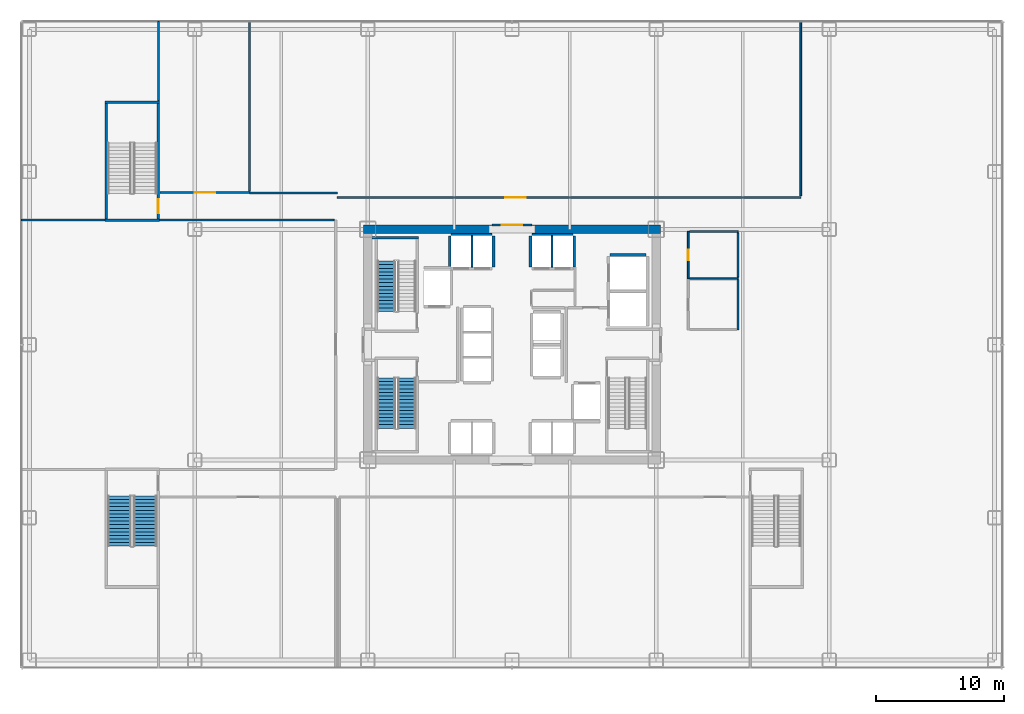
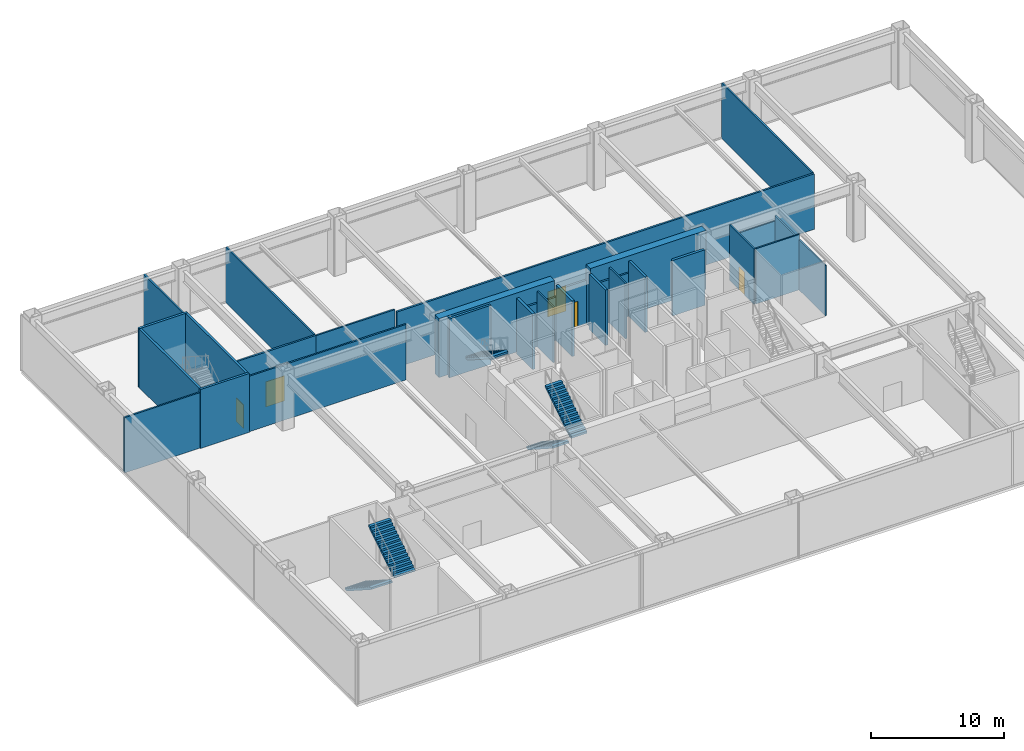
# One storey, part 19 of 24: 30 walls, 5 doors, 5 stair flights, 5 openings, 3 elements without a shape of their own.
"""IFC4 building model written with IfcOpenShell, lengths in metres."""

from ifc_helpers import new_model, si_unit, direction, frame, frame_2d, origin, place, context, subcontext, project, spatial, polyline, rectangle, outline, extrude, source, transform, mapped, material, layer, layer_set, type_object, element, fill, aggregate, save


model = new_model("IFC4")

# Units and contexts
model_context = context("Model", 3, precision=1e-05, world=origin(), true_north=direction((0.0, 1.0)))
body_context = subcontext(model_context, "Body", "Model", "MODEL_VIEW")
ifc_project = project(units=[si_unit("LENGTHUNIT", "METRE"), si_unit("AREAUNIT", "SQUARE_METRE"), si_unit("VOLUMEUNIT", "CUBIC_METRE"), si_unit("PLANEANGLEUNIT", "RADIAN"), si_unit("MASSUNIT", "GRAM", prefix="KILO")], contexts=[model_context])

# Site, building, storey
site_placement = place(None, origin())
site = spatial("IfcSite", under=ifc_project, at=site_placement, CompositionType="ELEMENT")
building_placement = place(site_placement, origin())
building = spatial("IfcBuilding", under=site, at=building_placement, Name="Nefas-Gora Pilgrimage Tower", CompositionType="ELEMENT")
storey_placement = place(building_placement, frame((0.0, 0.0, 11.39990234375)))
storey = spatial("IfcBuildingStorey", under=building, at=storey_placement, Name="L02", CompositionType="ELEMENT", Elevation=11.39990234375)

# Walls
ifc_material_1 = material(Name="Concrete C60/75", Category="concrete")
ifc_layer_1 = layer(ifc_material_1, 0.64990234375)
ifc_layer_set_1 = layer_set([ifc_layer_1], Name="Concrete C60/75")
wall_type_1 = type_object("IfcWallType", Name="SW-CORE-650", PredefinedType="SHEAR", material=ifc_layer_set_1)
shared_shape_1 = source(origin(), body_context, "Body", "SweptSolid", [
    extrude(rectangle(XDim=10.02490234375, YDim=0.64990234375, at=frame_2d((5.012451171875, 0.0))), origin(), (0.0, 0.0, 1.0), 5.400146484375),
])
for number, where, z_axis, x_axis, name in (
    (1, (-11.574951171875, 9.0, 0.0), (0.0, 0.0, 1.0), (1.0, 0.0, 0.0), "L02 Core Shear Wall N-West"),
    (2, (1.550048828125, 9.0, 0.0), (0.0, 0.0, 1.0), (1.0, 0.0, 0.0), "L02 Core Shear Wall N-East"),
):
    element("IfcWall", number, at=place(storey_placement, frame(where, z_axis=z_axis, x_axis=x_axis)), inside=storey, type_object=wall_type_1, Name=name, PredefinedType="SHEAR", context=body_context, shape_type="MappedRepresentation", body=[
        mapped(shared_shape_1, transform((0.0, 0.0, 0.0), x_axis=(1.0, 0.0, 0.0), y_axis=(0.0, 1.0, 0.0), z_axis=(0.0, 0.0, 1.0), scale=1.0)),
    ])
ifc_material_2 = material(Name="Concrete C45/55", Category="concrete")
ifc_layer_2 = layer(ifc_material_2, 0.199951171875)
ifc_layer_set_2 = layer_set([ifc_layer_2], Name="Concrete C45/55")
wall_type_2 = type_object("IfcWallType", Name="IW-STAIR-200", PredefinedType="SOLIDWALL", material=ifc_layer_set_2)
shared_shape_2 = source(origin(), body_context, "Body", "SweptSolid", [
    extrude(rectangle(XDim=3.6298828125, YDim=0.199951171875, at=frame_2d((1.81494140625, 0.0))), origin(), (0.0, 0.0, 1.0), 5.400146484375),
])
wall_1_placement = place(storey_placement, frame((-7.300048828125, 8.35009765625, 0.0), z_axis=(0.0, 0.0, 1.0), x_axis=(-1.0, 0.0, 0.0)))
element("IfcWall", 3, at=wall_1_placement, inside=storey, type_object=wall_type_2, Name="L02 Stairwell Shear Wall ST-01-far", PredefinedType="SOLIDWALL", context=body_context, shape_type="MappedRepresentation", body=[
    mapped(shared_shape_2, transform((0.0, 0.0, 0.0), x_axis=(1.0, 0.0, 0.0), y_axis=(0.0, 1.0, 0.0), z_axis=(0.0, 0.0, 1.0), scale=1.0)),
])
shared_shape_3 = source(origin(), body_context, "Body", "SweptSolid", [
    extrude(rectangle(XDim=4.239990234375, YDim=0.199951171875, at=frame_2d((2.1201171875, 0.0))), origin(), (0.0, 0.0, 1.0), 5.400146484375),
])
for number, where, z_axis, x_axis, name in (
    (4, (-27.5, 9.699951171875, 0.0), (0.0, 0.0, 1.0), (-1.0, 0.0, 0.0), "L02 Stairwell Shear Wall ST-04-near"),
    (5, (-27.5, 18.89990234375, 0.0), (0.0, 0.0, 1.0), (-1.0, 0.0, 0.0), "L02 Stairwell Shear Wall ST-04-far"),
):
    element("IfcWall", number, at=place(storey_placement, frame(where, z_axis=z_axis, x_axis=x_axis)), inside=storey, type_object=wall_type_2, Name=name, PredefinedType="SOLIDWALL", context=body_context, shape_type="MappedRepresentation", body=[
        mapped(shared_shape_3, transform((0.0, 0.0, 0.0), x_axis=(1.0, 0.0, 0.0), y_axis=(0.0, 1.0, 0.0), z_axis=(0.0, 0.0, 1.0), scale=1.0)),
    ])

# Wall, opening, door
shared_shape_4 = source(origin(), body_context, "Body", "SweptSolid", [
    extrude(rectangle(XDim=9.0, YDim=0.199951171875, at=frame_2d((4.5, 0.0))), origin(), (0.0, 0.0, 1.0), 5.400146484375),
])
wall_2_placement = place(storey_placement, frame((-27.60009765625, 9.800048828125, 0.0), z_axis=(0.0, 0.0, 1.0), x_axis=(0.0, 1.0, 0.0)))
wall_2 = element("IfcWall", 6, at=wall_2_placement, inside=storey, type_object=wall_type_2, Name="L02 Stairwell Shear Wall ST-04-left", PredefinedType="SOLIDWALL", context=body_context, shape_type="MappedRepresentation", body=[
    mapped(shared_shape_4, transform((0.0, 0.0, 0.0), x_axis=(1.0, 0.0, 0.0), y_axis=(0.0, 1.0, 0.0), z_axis=(0.0, 0.0, 1.0), scale=1.0)),
])
opening_1_placement = place(wall_2_placement, frame((0.449951171875, 0.0, 0.0)))
opening_1 = element("IfcOpeningElement", 7, at=opening_1_placement, cuts=wall_2, Name="Opening ID-ST1", PredefinedType="OPENING", context=body_context, shape_type="SweptSolid", body=[
    extrude(rectangle(XDim=1.10009765625, YDim=2.14990234375, at=frame_2d((0.550048828125, 1.074951171875))), frame((0.0, 0.10986328125, 0.0), z_axis=(0.0, -1.0, 0.0), x_axis=(1.0, 0.0, 0.0)), (0.0, 0.0, 1.0), 0.219970703125),
])
ifc_material_3 = material(Name="Painted galvanised steel fire stair door", Category="steel")
door_type_1 = type_object("IfcDoorType", Name="DR-INT-STAIR-1100", OperationType="NOTDEFINED", PredefinedType="DOOR", material=ifc_material_3)
shared_shape_5 = source(origin(), body_context, "Body", "SweptSolid", [
    extrude(rectangle(XDim=1.10009765625, YDim=2.14990234375, at=frame_2d((0.550048828125, 1.074951171875))), frame((0.0, 0.02490234375, 0.0), z_axis=(0.0, -1.0, 0.0), x_axis=(1.0, 0.0, 0.0)), (0.0, 0.0, 1.0), 0.050048828125),
])
door_1_placement = place(opening_1_placement, origin())
door_1 = element("IfcDoor", 8, at=door_1_placement, inside=storey, type_object=door_type_1, Name="L02 Protected Exit Stair Door ST-04", OperationType="SINGLE_SWING_RIGHT", OverallHeight=2.14990234375, OverallWidth=1.10009765625, PredefinedType="DOOR", context=body_context, shape_type="MappedRepresentation", body=[
    mapped(shared_shape_5, transform((0.0, 0.0, 0.0), x_axis=(1.0, 0.0, 0.0), y_axis=(0.0, 1.0, 0.0), z_axis=(0.0, 0.0, 1.0), scale=1.0)),
])
fill(opening_1, door_1)

# Walls
wall_3_placement = place(storey_placement, frame((-31.639892578125, 9.800048828125, 0.0), z_axis=(0.0, 0.0, 1.0), x_axis=(0.0, 1.0, 0.0)))
element("IfcWall", 9, at=wall_3_placement, inside=storey, type_object=wall_type_2, Name="L02 Stairwell Shear Wall ST-04-right", PredefinedType="SOLIDWALL", context=body_context, shape_type="MappedRepresentation", body=[
    mapped(shared_shape_4, transform((0.0, 0.0, 0.0), x_axis=(1.0, 0.0, 0.0), y_axis=(0.0, 1.0, 0.0), z_axis=(0.0, 0.0, 1.0), scale=1.0)),
])
ifc_material_4 = material(Name="Gypsum acoustic stud partition")
ifc_layer_3 = layer(ifc_material_4, 0.159912109375)
ifc_layer_set_3 = layer_set([ifc_layer_3], Name="Gypsum acoustic stud partition")
wall_type_3 = type_object("IfcWallType", Name="IW-CORR-160", PredefinedType="PARTITIONING", material=ifc_layer_set_3)
shared_shape_6 = source(origin(), body_context, "Body", "SweptSolid", [
    extrude(rectangle(XDim=3.199951171875, YDim=0.159912109375, at=frame_2d((1.60009765625, 0.0))), origin(), (0.0, 0.0, 1.0), 3.97509765625),
])
for number, where, z_axis, x_axis, name in (
    (10, (-1.550048828125, 8.580078125, 0.0), (0.0, 0.0, 1.0), (-1.0, 0.0, 0.0), "L02 Hoistway Wall PL1-W-N"),
    (11, (4.75, 8.580078125, 0.0), (0.0, 0.0, 1.0), (-1.0, 0.0, 0.0), "L02 Hoistway Wall PL1-E-N"),
):
    element("IfcWall", number, at=place(storey_placement, frame(where, z_axis=z_axis, x_axis=x_axis)), inside=storey, type_object=wall_type_3, Name=name, PredefinedType="PARTITIONING", context=body_context, shape_type="MappedRepresentation", body=[
        mapped(shared_shape_6, transform((0.0, 0.0, 0.0), x_axis=(1.0, 0.0, 0.0), y_axis=(0.0, 1.0, 0.0), z_axis=(0.0, 0.0, 1.0), scale=1.0)),
    ])
ifc_material_5 = material(Name="Concrete C40/50", Category="concrete")
ifc_layer_4 = layer(ifc_material_5, 0.219970703125)
ifc_layer_set_4 = layer_set([ifc_layer_4], Name="Concrete C40/50")
wall_type_4 = type_object("IfcWallType", Name="IW-SHAFT-220", PredefinedType="SOLIDWALL", material=ifc_layer_set_4)
shared_shape_7 = source(origin(), body_context, "Body", "SweptSolid", [
    extrude(rectangle(XDim=2.780029296875, YDim=0.219970703125, at=frame_2d((1.39013671875, 0.0))), origin(), (0.0, 0.0, 1.0), 5.085205078125),
])
wall_4_placement = place(storey_placement, frame((10.43994140625, 7.010009765625, 0.0), z_axis=(0.0, 0.0, 1.0), x_axis=(-1.0, 0.0, 0.0)))
element("IfcWall", 12, at=wall_4_placement, inside=storey, type_object=wall_type_4, Name="L02 Hoistway Wall SL-02-N", PredefinedType="SOLIDWALL", context=body_context, shape_type="MappedRepresentation", body=[
    mapped(shared_shape_7, transform((0.0, 0.0, 0.0), x_axis=(1.0, 0.0, 0.0), y_axis=(0.0, 1.0, 0.0), z_axis=(0.0, 0.0, 1.0), scale=1.0)),
])
shared_shape_8 = source(origin(), body_context, "Body", "SweptSolid", [
    extrude(rectangle(XDim=2.429931640625, YDim=0.219970703125, at=frame_2d((1.21484375, 0.0))), origin(), (0.0, 0.0, 1.0), 5.085205078125),
])
for number, where, z_axis, x_axis, name in (
    (13, (-4.860107421875, 8.489990234375, 0.0), (0.0, 0.0, 1.0), (0.0, -1.0, 0.0), "L02 Hoistway Wall PL1-W-W"),
    (14, (-1.43994140625, 6.06005859375, 0.0), (0.0, 0.0, 1.0), (0.0, 1.0, 0.0), "L02 Hoistway Wall PL1-W-E"),
    (15, (1.43994140625, 8.489990234375, 0.0), (0.0, 0.0, 1.0), (0.0, -1.0, 0.0), "L02 Hoistway Wall PL1-E-W"),
    (16, (4.860107421875, 6.06005859375, 0.0), (0.0, 0.0, 1.0), (0.0, 1.0, 0.0), "L02 Hoistway Wall PL1-E-E"),
):
    element("IfcWall", number, at=place(storey_placement, frame(where, z_axis=z_axis, x_axis=x_axis)), inside=storey, type_object=wall_type_4, Name=name, PredefinedType="SOLIDWALL", context=body_context, shape_type="MappedRepresentation", body=[
        mapped(shared_shape_8, transform((0.0, 0.0, 0.0), x_axis=(1.0, 0.0, 0.0), y_axis=(0.0, 1.0, 0.0), z_axis=(0.0, 0.0, 1.0), scale=1.0)),
    ])
ifc_material_6 = material(Name="Gypsum twin-stud partition")
ifc_layer_5 = layer(ifc_material_6, 0.139892578125)
ifc_layer_set_5 = layer_set([ifc_layer_5], Name="Gypsum twin-stud partition")
wall_type_5 = type_object("IfcWallType", Name="IW-UNIT-140", PredefinedType="PARTITIONING", material=ifc_layer_set_5)
shared_shape_9 = source(origin(), body_context, "Body", "SweptSolid", [
    extrude(rectangle(XDim=2.429931640625, YDim=0.139892578125, at=frame_2d((1.21484375, 0.0))), origin(), (0.0, 0.0, 1.0), 5.085205078125),
])
for number, where, z_axis, x_axis, name in (
    (17, (-3.125, 6.06005859375, 0.0), (0.0, 0.0, 1.0), (0.0, 1.0, 0.0), "L02 Hoistway Wall PL1-W-DIV"),
    (18, (3.125, 6.06005859375, 0.0), (0.0, 0.0, 1.0), (0.0, 1.0, 0.0), "L02 Hoistway Wall PL1-E-DIV"),
):
    element("IfcWall", number, at=place(storey_placement, frame(where, z_axis=z_axis, x_axis=x_axis)), inside=storey, type_object=wall_type_5, Name=name, PredefinedType="PARTITIONING", context=body_context, shape_type="MappedRepresentation", body=[
        mapped(shared_shape_9, transform((0.0, 0.0, 0.0), x_axis=(1.0, 0.0, 0.0), y_axis=(0.0, 1.0, 0.0), z_axis=(0.0, 0.0, 1.0), scale=1.0)),
    ])

# Wall, opening, door
shared_shape_10 = source(origin(), body_context, "Body", "SweptSolid", [
    extrude(rectangle(XDim=3.08984375, YDim=0.159912109375, at=frame_2d((1.544921875, 0.0))), origin(), (0.0, 0.0, 1.0), 3.97509765625),
])
wall_5_placement = place(storey_placement, frame((-1.544921875, 9.35009765625, 0.0), z_axis=(0.0, 0.0, 1.0), x_axis=(1.0, 0.0, 0.0)))
wall_5 = element("IfcWall", 19, at=wall_5_placement, inside=storey, type_object=wall_type_3, Name="L02 Central Lift Lobby North Portal Wall 14", PredefinedType="PARTITIONING", context=body_context, shape_type="MappedRepresentation", body=[
    mapped(shared_shape_10, transform((0.0, 0.0, 0.0), x_axis=(1.0, 0.0, 0.0), y_axis=(0.0, 1.0, 0.0), z_axis=(0.0, 0.0, 1.0), scale=1.0)),
])
opening_2_placement = place(wall_5_placement, frame((0.7451171875, 0.0, 0.0)))
opening_2 = element("IfcOpeningElement", 20, at=opening_2_placement, cuts=wall_5, Name="Opening ID-HL1", PredefinedType="OPENING", context=body_context, shape_type="SweptSolid", body=[
    extrude(rectangle(XDim=1.60009765625, YDim=2.300048828125, at=frame_2d((0.800048828125, 1.14990234375))), frame((0.0, 0.08984375, 0.0), z_axis=(0.0, -1.0, 0.0), x_axis=(1.0, 0.0, 0.0)), (0.0, 0.0, 1.0), 0.179931640625),
])
ifc_material_7 = material(Name="Double acoustic timber assembly hall door", Category="wood")
door_type_2 = type_object("IfcDoorType", Name="DR-INT-HALL-1600", OperationType="DOUBLE_DOOR_SINGLE_SWING", PredefinedType="DOOR", material=ifc_material_7)
shared_shape_11 = source(origin(), body_context, "Body", "SweptSolid", [
    extrude(rectangle(XDim=1.60009765625, YDim=2.300048828125, at=frame_2d((0.800048828125, 1.14990234375))), frame((0.0, 0.02490234375, 0.0), z_axis=(0.0, -1.0, 0.0), x_axis=(1.0, 0.0, 0.0)), (0.0, 0.0, 1.0), 0.050048828125),
])
door_2_placement = place(opening_2_placement, origin())
door_2 = element("IfcDoor", 21, at=door_2_placement, inside=storey, type_object=door_type_2, Name="L02 Central Lift Lobby North Portal Door 4", OperationType="DOUBLE_DOOR_SINGLE_SWING", OverallHeight=2.300048828125, OverallWidth=1.60009765625, PredefinedType="DOOR", context=body_context, shape_type="MappedRepresentation", body=[
    mapped(shared_shape_11, transform((0.0, 0.0, 0.0), x_axis=(1.0, 0.0, 0.0), y_axis=(0.0, 1.0, 0.0), z_axis=(0.0, 0.0, 1.0), scale=1.0)),
])
fill(opening_2, door_2)

# Walls
ifc_material_8 = material(Name="Moisture-resistant fire-rated gypsum partition")
ifc_layer_6 = layer(ifc_material_8, 0.1201171875)
ifc_layer_set_6 = layer_set([ifc_layer_6], Name="Moisture-resistant fire-rated gypsum partition")
wall_type_6 = type_object("IfcWallType", Name="IW-WET-120", PredefinedType="PLUMBINGWALL", material=ifc_layer_set_6)
shared_shape_12 = source(origin(), body_context, "Body", "SweptSolid", [
    extrude(rectangle(XDim=3.4599609375, YDim=0.1201171875, at=frame_2d((1.72998046875, 0.0))), origin(), (0.0, 0.0, 1.0), 4.625),
])
wall_6_placement = place(storey_placement, frame((17.6298828125, 5.27001953125, 0.0), z_axis=(0.0, 0.0, 1.0), x_axis=(0.0, 1.0, 0.0)))
element("IfcWall", 22, at=wall_6_placement, inside=storey, type_object=wall_type_6, Name="L02 L02 Podium Accessible WC Partition Wall 22", PredefinedType="PLUMBINGWALL", context=body_context, shape_type="MappedRepresentation", body=[
    mapped(shared_shape_12, transform((0.0, 0.0, 0.0), x_axis=(1.0, 0.0, 0.0), y_axis=(0.0, 1.0, 0.0), z_axis=(0.0, 0.0, 1.0), scale=1.0)),
])
shared_shape_13 = source(origin(), body_context, "Body", "SweptSolid", [
    extrude(rectangle(XDim=3.91015625, YDim=0.1201171875, at=frame_2d((1.955078125, 0.0))), origin(), (0.0, 0.0, 1.0), 4.625),
])
wall_7_placement = place(storey_placement, frame((17.6298828125, 1.159912109375, 0.0), z_axis=(0.0, 0.0, 1.0), x_axis=(0.0, 1.0, 0.0)))
element("IfcWall", 23, at=wall_7_placement, inside=storey, type_object=wall_type_6, Name="L02 L02 Podium Public Washroom WC Partition Wall 24", PredefinedType="PLUMBINGWALL", context=body_context, shape_type="MappedRepresentation", body=[
    mapped(shared_shape_13, transform((0.0, 0.0, 0.0), x_axis=(1.0, 0.0, 0.0), y_axis=(0.0, 1.0, 0.0), z_axis=(0.0, 0.0, 1.0), scale=1.0)),
])

# Wall, opening, door
shared_shape_14 = source(origin(), body_context, "Body", "SweptSolid", [
    extrude(rectangle(XDim=3.68017578125, YDim=0.1201171875, at=frame_2d((1.840087890625, 0.0))), origin(), (0.0, 0.0, 1.0), 5.085205078125),
])
wall_8_placement = place(storey_placement, frame((13.75, 5.159912109375, 0.0), z_axis=(0.0, 0.0, 1.0), x_axis=(0.0, 1.0, 0.0)))
wall_8 = element("IfcWall", 24, at=wall_8_placement, inside=storey, type_object=wall_type_6, Name="L02 L02 Podium Accessible WC Partition Wall 19", PredefinedType="PLUMBINGWALL", context=body_context, shape_type="MappedRepresentation", body=[
    mapped(shared_shape_14, transform((0.0, 0.0, 0.0), x_axis=(1.0, 0.0, 0.0), y_axis=(0.0, 1.0, 0.0), z_axis=(0.0, 0.0, 1.0), scale=1.0)),
])
opening_3_placement = place(wall_8_placement, frame((1.4150390625, 0.0, 0.0)))
opening_3 = element("IfcOpeningElement", 25, at=opening_3_placement, cuts=wall_8, Name="Opening ID-BT1", PredefinedType="OPENING", context=body_context, shape_type="SweptSolid", body=[
    extrude(rectangle(XDim=0.85009765625, YDim=2.10009765625, at=frame_2d((0.425048828125, 1.050048828125))), frame((0.0, 0.070068359375, 0.0), z_axis=(0.0, -1.0, 0.0), x_axis=(1.0, 0.0, 0.0)), (0.0, 0.0, 1.0), 0.14013671875),
])
ifc_material_9 = material(Name="Moisture-resistant fire-rated timber door", Category="wood")
door_type_3 = type_object("IfcDoorType", Name="DR-INT-BATH-850", OperationType="NOTDEFINED", PredefinedType="DOOR", material=ifc_material_9)
shared_shape_15 = source(origin(), body_context, "Body", "SweptSolid", [
    extrude(rectangle(XDim=0.85009765625, YDim=2.10009765625, at=frame_2d((0.425048828125, 1.050048828125))), frame((0.0, 0.02490234375, 0.0), z_axis=(0.0, -1.0, 0.0), x_axis=(1.0, 0.0, 0.0)), (0.0, 0.0, 1.0), 0.050048828125),
])
door_3_placement = place(opening_3_placement, origin())
door_3 = element("IfcDoor", 26, at=door_3_placement, inside=storey, type_object=door_type_3, Name="L02 L02 Podium Accessible WC Door 7", OperationType="SINGLE_SWING_LEFT", OverallHeight=2.10009765625, OverallWidth=0.85009765625, PredefinedType="DOOR", context=body_context, shape_type="MappedRepresentation", body=[
    mapped(shared_shape_15, transform((0.0, 0.0, 0.0), x_axis=(1.0, 0.0, 0.0), y_axis=(0.0, 1.0, 0.0), z_axis=(0.0, 0.0, 1.0), scale=1.0)),
])
fill(opening_3, door_3)

# Walls
shared_shape_16 = source(origin(), body_context, "Body", "SweptSolid", [
    extrude(rectangle(XDim=3.789794921875, YDim=0.1201171875, at=frame_2d((1.89501953125, 0.0))), origin(), (0.0, 0.0, 1.0), 5.085205078125),
])
wall_9_placement = place(storey_placement, frame((13.85009765625, 5.169921875, 0.0), z_axis=(0.0, 0.0, 1.0), x_axis=(1.0, 0.0, 0.0)))
element("IfcWall", 27, at=wall_9_placement, inside=storey, type_object=wall_type_6, Name="L02 L02 Podium Accessible WC Partition Wall 20", PredefinedType="PLUMBINGWALL", context=body_context, shape_type="MappedRepresentation", body=[
    mapped(shared_shape_16, transform((0.0, 0.0, 0.0), x_axis=(1.0, 0.0, 0.0), y_axis=(0.0, 1.0, 0.0), z_axis=(0.0, 0.0, 1.0), scale=1.0)),
])
shared_shape_17 = source(origin(), body_context, "Body", "SweptSolid", [
    extrude(rectangle(XDim=3.789794921875, YDim=0.1201171875, at=frame_2d((1.89501953125, 0.0))), origin(), (0.0, 0.0, 1.0), 4.0751953125),
])
wall_10_placement = place(storey_placement, frame((13.85009765625, 8.830078125, 0.0), z_axis=(0.0, 0.0, 1.0), x_axis=(1.0, 0.0, 0.0)))
element("IfcWall", 28, at=wall_10_placement, inside=storey, type_object=wall_type_6, Name="L02 L02 Podium Accessible WC Partition Wall 21", PredefinedType="PLUMBINGWALL", context=body_context, shape_type="MappedRepresentation", body=[
    mapped(shared_shape_17, transform((0.0, 0.0, 0.0), x_axis=(1.0, 0.0, 0.0), y_axis=(0.0, 1.0, 0.0), z_axis=(0.0, 0.0, 1.0), scale=1.0)),
])
shared_shape_18 = source(origin(), body_context, "Body", "SweptSolid", [
    extrude(rectangle(XDim=6.52490234375, YDim=0.139892578125, at=frame_2d((3.262451171875, 0.0))), origin(), (0.0, 0.0, 1.0), 5.085205078125),
])
wall_11_placement = place(storey_placement, frame((-38.27001953125, 9.72998046875, 0.0), z_axis=(0.0, 0.0, 1.0), x_axis=(1.0, 0.0, 0.0)))
element("IfcWall", 29, at=wall_11_placement, inside=storey, type_object=wall_type_5, Name="L02 Congregational Prayer Hall West Partition Wall 30", PredefinedType="PARTITIONING", context=body_context, shape_type="MappedRepresentation", body=[
    mapped(shared_shape_18, transform((0.0, 0.0, 0.0), x_axis=(1.0, 0.0, 0.0), y_axis=(0.0, 1.0, 0.0), z_axis=(0.0, 0.0, 1.0), scale=1.0)),
])
shared_shape_19 = source(origin(), body_context, "Body", "SweptSolid", [
    extrude(rectangle(XDim=13.625, YDim=0.139892578125, at=frame_2d((6.8125, 0.0))), origin(), (0.0, 0.0, 1.0), 5.085205078125),
])
wall_12_placement = place(storey_placement, frame((-27.4951171875, 9.72998046875, 0.0), z_axis=(0.0, 0.0, 1.0), x_axis=(1.0, 0.0, 0.0)))
element("IfcWall", 30, at=wall_12_placement, inside=storey, type_object=wall_type_5, Name="L02 Congregational Prayer Hall West Partition Wall 29", PredefinedType="PARTITIONING", context=body_context, shape_type="MappedRepresentation", body=[
    mapped(shared_shape_19, transform((0.0, 0.0, 0.0), x_axis=(1.0, 0.0, 0.0), y_axis=(0.0, 1.0, 0.0), z_axis=(0.0, 0.0, 1.0), scale=1.0)),
])

# Wall, opening, door
shared_shape_20 = source(origin(), body_context, "Body", "SweptSolid", [
    extrude(rectangle(XDim=7.0, YDim=0.159912109375, at=frame_2d((3.5, 0.0))), origin(), (0.0, 0.0, 1.0), 5.085205078125),
])
wall_13_placement = place(storey_placement, frame((-27.4599609375, 11.8701171875, 0.0), z_axis=(0.0, 0.0, 1.0), x_axis=(1.0, 0.0, 0.0)))
wall_13 = element("IfcWall", 31, at=wall_13_placement, inside=storey, type_object=wall_type_3, Name="L02 Scripture Study Hall Partition Wall 31", PredefinedType="PARTITIONING", context=body_context, shape_type="MappedRepresentation", body=[
    mapped(shared_shape_20, transform((0.0, 0.0, 0.0), x_axis=(1.0, 0.0, 0.0), y_axis=(0.0, 1.0, 0.0), z_axis=(0.0, 0.0, 1.0), scale=1.0)),
])
opening_4_placement = place(wall_13_placement, frame((2.699951171875, 0.0, 0.0)))
opening_4 = element("IfcOpeningElement", 32, at=opening_4_placement, cuts=wall_13, Name="Opening ID-HL1", PredefinedType="OPENING", context=body_context, shape_type="SweptSolid", body=[
    extrude(rectangle(XDim=1.60009765625, YDim=2.300048828125, at=frame_2d((0.800048828125, 1.14990234375))), frame((0.0, 0.08984375, 0.0), z_axis=(0.0, -1.0, 0.0), x_axis=(1.0, 0.0, 0.0)), (0.0, 0.0, 1.0), 0.179931640625),
])
door_4_placement = place(opening_4_placement, origin())
door_4 = element("IfcDoor", 33, at=door_4_placement, inside=storey, type_object=door_type_2, Name="L02 Scripture Study Hall Door 10", OperationType="DOUBLE_DOOR_SINGLE_SWING", OverallHeight=2.300048828125, OverallWidth=1.60009765625, PredefinedType="DOOR", context=body_context, shape_type="MappedRepresentation", body=[
    mapped(shared_shape_11, transform((0.0, 0.0, 0.0), x_axis=(1.0, 0.0, 0.0), y_axis=(0.0, 1.0, 0.0), z_axis=(0.0, 0.0, 1.0), scale=1.0)),
])
fill(opening_4, door_4)

# Walls
shared_shape_21 = source(origin(), body_context, "Body", "SweptSolid", [
    extrude(rectangle(XDim=6.179931640625, YDim=0.139892578125, at=frame_2d((3.08984375, 0.0))), origin(), (0.0, 0.0, 1.0), 5.085205078125),
])
wall_14_placement = place(storey_placement, frame((-27.580078125, 19.0400390625, 0.0), z_axis=(0.0, 0.0, 1.0), x_axis=(0.0, 1.0, 0.0)))
element("IfcWall", 34, at=wall_14_placement, inside=storey, type_object=wall_type_5, Name="L02 Scripture Study Hall Partition Wall 32", PredefinedType="PARTITIONING", context=body_context, shape_type="MappedRepresentation", body=[
    mapped(shared_shape_21, transform((0.0, 0.0, 0.0), x_axis=(1.0, 0.0, 0.0), y_axis=(0.0, 1.0, 0.0), z_axis=(0.0, 0.0, 1.0), scale=1.0)),
])
shared_shape_22 = source(origin(), body_context, "Body", "SweptSolid", [
    extrude(rectangle(XDim=13.22998046875, YDim=0.139892578125, at=frame_2d((6.614990234375, 0.0))), origin(), (0.0, 0.0, 1.0), 5.085205078125),
])
wall_15_placement = place(storey_placement, frame((-20.469970703125, 11.989990234375, 0.0), z_axis=(0.0, 0.0, 1.0), x_axis=(0.0, 1.0, 0.0)))
element("IfcWall", 35, at=wall_15_placement, inside=storey, type_object=wall_type_5, Name="L02 Scripture Study Hall Partition Wall 33", PredefinedType="PARTITIONING", context=body_context, shape_type="MappedRepresentation", body=[
    mapped(shared_shape_22, transform((0.0, 0.0, 0.0), x_axis=(1.0, 0.0, 0.0), y_axis=(0.0, 1.0, 0.0), z_axis=(0.0, 0.0, 1.0), scale=1.0)),
])

# Wall, opening, door
shared_shape_23 = source(origin(), body_context, "Body", "SweptSolid", [
    extrude(rectangle(XDim=36.179931640625, YDim=0.159912109375, at=frame_2d((18.08984375, 0.0))), origin(), (0.0, 0.0, 1.0), 5.085205078125),
])
wall_16_placement = place(storey_placement, frame((-13.639892578125, 11.489990234375, 0.0), z_axis=(0.0, 0.0, 1.0), x_axis=(1.0, 0.0, 0.0)))
wall_16 = element("IfcWall", 36, at=wall_16_placement, inside=storey, type_object=wall_type_3, Name="L02 Scripture Seminar Hall Partition Wall 34", PredefinedType="PARTITIONING", context=body_context, shape_type="MappedRepresentation", body=[
    mapped(shared_shape_23, transform((0.0, 0.0, 0.0), x_axis=(1.0, 0.0, 0.0), y_axis=(0.0, 1.0, 0.0), z_axis=(0.0, 0.0, 1.0), scale=1.0)),
])
opening_5_placement = place(wall_16_placement, frame((13.098876953125, 0.0, 0.0)))
opening_5 = element("IfcOpeningElement", 37, at=opening_5_placement, cuts=wall_16, Name="Opening ID-HL1", PredefinedType="OPENING", context=body_context, shape_type="SweptSolid", body=[
    extrude(rectangle(XDim=1.60009765625, YDim=2.300048828125, at=frame_2d((0.800048828125, 1.14990234375))), frame((0.0, 0.08984375, 0.0), z_axis=(0.0, -1.0, 0.0), x_axis=(1.0, 0.0, 0.0)), (0.0, 0.0, 1.0), 0.179931640625),
])
door_5_placement = place(opening_5_placement, origin())
door_5 = element("IfcDoor", 38, at=door_5_placement, inside=storey, type_object=door_type_2, Name="L02 Scripture Seminar Hall Door 11", OperationType="DOUBLE_DOOR_SINGLE_SWING", OverallHeight=2.300048828125, OverallWidth=1.60009765625, PredefinedType="DOOR", context=body_context, shape_type="MappedRepresentation", body=[
    mapped(shared_shape_11, transform((0.0, 0.0, 0.0), x_axis=(1.0, 0.0, 0.0), y_axis=(0.0, 1.0, 0.0), z_axis=(0.0, 0.0, 1.0), scale=1.0)),
])
fill(opening_5, door_5)

# Walls
shared_shape_24 = source(origin(), body_context, "Body", "SweptSolid", [
    extrude(rectangle(XDim=6.83984375, YDim=0.139892578125, at=frame_2d((3.419921875, 0.0))), origin(), (0.0, 0.0, 1.0), 5.085205078125),
])
wall_17_placement = place(storey_placement, frame((-20.4599609375, 11.830078125, 0.0), z_axis=(0.0, 0.0, 1.0), x_axis=(1.0, 0.0, 0.0)))
element("IfcWall", 39, at=wall_17_placement, inside=storey, type_object=wall_type_5, Name="L02 Scripture Seminar Hall Partition Wall 35", PredefinedType="PARTITIONING", context=body_context, shape_type="MappedRepresentation", body=[
    mapped(shared_shape_24, transform((0.0, 0.0, 0.0), x_axis=(1.0, 0.0, 0.0), y_axis=(0.0, 1.0, 0.0), z_axis=(0.0, 0.0, 1.0), scale=1.0)),
])
shared_shape_25 = source(origin(), body_context, "Body", "SweptSolid", [
    extrude(rectangle(XDim=13.60986328125, YDim=0.139892578125, at=frame_2d((6.804931640625, 0.0))), origin(), (0.0, 0.0, 1.0), 5.085205078125),
])
wall_18_placement = place(storey_placement, frame((22.530029296875, 11.610107421875, 0.0), z_axis=(0.0, 0.0, 1.0), x_axis=(0.0, 1.0, 0.0)))
element("IfcWall", 40, at=wall_18_placement, inside=storey, type_object=wall_type_5, Name="L02 Scripture Seminar Hall Partition Wall 36", PredefinedType="PARTITIONING", context=body_context, shape_type="MappedRepresentation", body=[
    mapped(shared_shape_25, transform((0.0, 0.0, 0.0), x_axis=(1.0, 0.0, 0.0), y_axis=(0.0, 1.0, 0.0), z_axis=(0.0, 0.0, 1.0), scale=1.0)),
])

# Stair, stair flight
stair_type_1 = type_object("IfcStairType", Name="STR-1400-R1800", PredefinedType="HALF_TURN_STAIR", material=ifc_material_2)
stair_1_placement = place(storey_placement, origin())
stair_1 = element("IfcStair", 41, at=stair_1_placement, inside=storey, type_object=stair_type_1, Name="L02 Pressurised Tower Exit Stair ST-01", PredefinedType="HALF_TURN_STAIR")
stair_flight_type_1 = type_object("IfcStairFlightType", Name="STF-1400-R1800", PredefinedType="STRAIGHT", material=ifc_material_2)
shared_shape_26 = source(origin(), body_context, "Body", "SweptSolid", [
    extrude(outline(polyline([(0.0, 0.0), (0.0, 0.179931640625), (0.280029296875, 0.179931640625), (0.280029296875, 0.360107421875), (0.56005859375, 0.360107421875), (0.56005859375, 0.5400390625), (0.840087890625, 0.5400390625), (0.840087890625, 0.719970703125), (1.1201171875, 0.719970703125), (1.1201171875, 0.89990234375), (1.39990234375, 0.89990234375), (1.39990234375, 1.080078125), (1.679931640625, 1.080078125), (1.679931640625, 1.260009765625), (1.9599609375, 1.260009765625), (1.9599609375, 1.43994140625), (2.239990234375, 1.43994140625), (2.239990234375, 1.6201171875), (2.52001953125, 1.6201171875), (2.52001953125, 1.800048828125), (2.800048828125, 1.800048828125), (2.800048828125, 1.97998046875), (3.080078125, 1.97998046875), (3.080078125, 2.159912109375), (3.360107421875, 2.159912109375), (3.360107421875, 2.340087890625), (3.639892578125, 2.340087890625), (3.639892578125, 2.52001953125), (3.919921875, 2.52001953125), (3.919921875, 2.699951171875), (3.919921875, 2.341796875), (0.277099609375, 0.0), (0.0, 0.0)])), frame((0.0, 0.699951171875, 0.0), z_axis=(0.0, -1.0, 0.0), x_axis=(1.0, 0.0, 0.0)), (0.0, 0.0, 1.0), 1.39990234375),
])
stair_flight_1_placement = place(storey_placement, frame((-9.800048828125, 6.52001953125, 2.7001953125), z_axis=(0.0, 0.0, 1.0), x_axis=(0.0, -1.0, 0.0)))
stair_flight_1 = element("IfcStairFlight", 42, at=stair_flight_1_placement, type_object=stair_flight_type_1, Name="ST-01 flight 2", NumberOfRisers=15, NumberOfTreads=14, PredefinedType="STRAIGHT", RiserHeight=0.18, TreadLength=0.28, context=body_context, shape_type="MappedRepresentation", body=[
    mapped(shared_shape_26, transform((0.0, 0.0, 0.0), x_axis=(1.0, 0.0, 0.0), y_axis=(0.0, 1.0, 0.0), z_axis=(0.0, 0.0, 1.0), scale=1.0)),
])
aggregate(stair_1, [stair_flight_1])

# Stair, stair flights
stair_2_placement = place(storey_placement, origin())
stair_2 = element("IfcStair", 43, at=stair_2_placement, inside=storey, type_object=stair_type_1, Name="L02 Pressurised Tower Exit Stair ST-03", PredefinedType="HALF_TURN_STAIR")
stair_flight_2_placement = place(storey_placement, frame((-9.800048828125, -2.60009765625, 0.0), z_axis=(0.0, 0.0, 1.0), x_axis=(0.0, -1.0, 0.0)))
stair_flight_2 = element("IfcStairFlight", 44, at=stair_flight_2_placement, type_object=stair_flight_type_1, Name="ST-03 flight 1", NumberOfRisers=15, NumberOfTreads=14, PredefinedType="STRAIGHT", RiserHeight=0.18, TreadLength=0.28, context=body_context, shape_type="MappedRepresentation", body=[
    mapped(shared_shape_26, transform((0.0, 0.0, 0.0), x_axis=(1.0, 0.0, 0.0), y_axis=(0.0, 1.0, 0.0), z_axis=(0.0, 0.0, 1.0), scale=1.0)),
])
stair_flight_3_placement = place(storey_placement, frame((-8.199951171875, -6.52001953125, 2.7001953125), z_axis=(0.0, 0.0, 1.0), x_axis=(0.0, 1.0, 0.0)))
stair_flight_3 = element("IfcStairFlight", 45, at=stair_flight_3_placement, type_object=stair_flight_type_1, Name="ST-03 flight 2", NumberOfRisers=15, NumberOfTreads=14, PredefinedType="STRAIGHT", RiserHeight=0.18, TreadLength=0.28, context=body_context, shape_type="MappedRepresentation", body=[
    mapped(shared_shape_26, transform((0.0, 0.0, 0.0), x_axis=(1.0, 0.0, 0.0), y_axis=(0.0, 1.0, 0.0), z_axis=(0.0, 0.0, 1.0), scale=1.0)),
])
aggregate(stair_2, [stair_flight_2, stair_flight_3])

stair_type_2 = type_object("IfcStairType", Name="STR-1820-R1800", PredefinedType="HALF_TURN_STAIR", material=ifc_material_2)
stair_3_placement = place(storey_placement, origin())
stair_3 = element("IfcStair", 46, at=stair_3_placement, inside=storey, type_object=stair_type_2, Name="L02 Podium Exit Stair ST-05", PredefinedType="HALF_TURN_STAIR")
stair_flight_type_2 = type_object("IfcStairFlightType", Name="STF-1820-R1800", PredefinedType="STRAIGHT", material=ifc_material_2)
shared_shape_27 = source(origin(), body_context, "Body", "SweptSolid", [
    extrude(outline(polyline([(0.0, 0.0), (0.0, 0.179931640625), (0.280029296875, 0.179931640625), (0.280029296875, 0.360107421875), (0.56005859375, 0.360107421875), (0.56005859375, 0.5400390625), (0.840087890625, 0.5400390625), (0.840087890625, 0.719970703125), (1.1201171875, 0.719970703125), (1.1201171875, 0.89990234375), (1.39990234375, 0.89990234375), (1.39990234375, 1.080078125), (1.679931640625, 1.080078125), (1.679931640625, 1.260009765625), (1.9599609375, 1.260009765625), (1.9599609375, 1.43994140625), (2.239990234375, 1.43994140625), (2.239990234375, 1.6201171875), (2.52001953125, 1.6201171875), (2.52001953125, 1.800048828125), (2.800048828125, 1.800048828125), (2.800048828125, 1.97998046875), (3.080078125, 1.97998046875), (3.080078125, 2.159912109375), (3.360107421875, 2.159912109375), (3.360107421875, 2.340087890625), (3.639892578125, 2.340087890625), (3.639892578125, 2.52001953125), (3.919921875, 2.52001953125), (3.919921875, 2.699951171875), (3.919921875, 2.341796875), (0.277099609375, 0.0), (0.0, 0.0)])), frame((0.0, 0.91015625, 0.0), z_axis=(0.0, -1.0, 0.0), x_axis=(1.0, 0.0, 0.0)), (0.0, 0.0, 1.0), 1.820068359375),
])
stair_flight_4_placement = place(storey_placement, frame((-30.6298828125, -11.800048828125, 0.0), z_axis=(0.0, 0.0, 1.0), x_axis=(0.0, -1.0, 0.0)))
stair_flight_4 = element("IfcStairFlight", 47, at=stair_flight_4_placement, type_object=stair_flight_type_2, Name="ST-05 flight 1", NumberOfRisers=15, NumberOfTreads=14, PredefinedType="STRAIGHT", RiserHeight=0.18, TreadLength=0.28, context=body_context, shape_type="MappedRepresentation", body=[
    mapped(shared_shape_27, transform((0.0, 0.0, 0.0), x_axis=(1.0, 0.0, 0.0), y_axis=(0.0, 1.0, 0.0), z_axis=(0.0, 0.0, 1.0), scale=1.0)),
])
stair_flight_5_placement = place(storey_placement, frame((-28.610107421875, -15.719970703125, 2.7001953125), z_axis=(0.0, 0.0, 1.0), x_axis=(0.0, 1.0, 0.0)))
stair_flight_5 = element("IfcStairFlight", 48, at=stair_flight_5_placement, type_object=stair_flight_type_2, Name="ST-05 flight 2", NumberOfRisers=15, NumberOfTreads=14, PredefinedType="STRAIGHT", RiserHeight=0.18, TreadLength=0.28, context=body_context, shape_type="MappedRepresentation", body=[
    mapped(shared_shape_27, transform((0.0, 0.0, 0.0), x_axis=(1.0, 0.0, 0.0), y_axis=(0.0, 1.0, 0.0), z_axis=(0.0, 0.0, 1.0), scale=1.0)),
])
aggregate(stair_3, [stair_flight_4, stair_flight_5])

save(model, "model.ifc")
